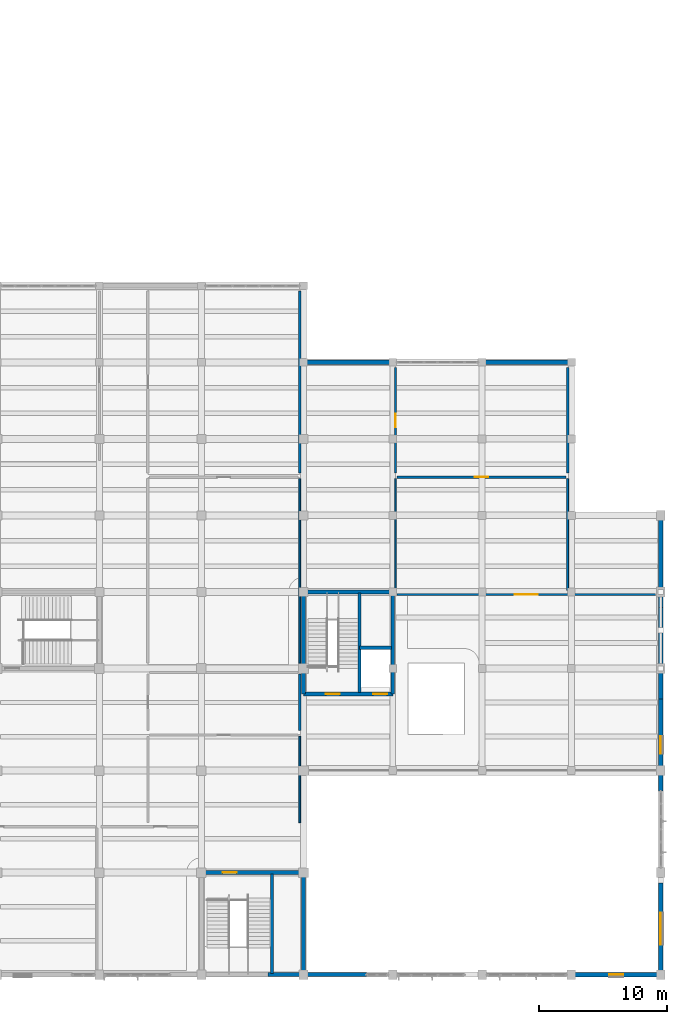
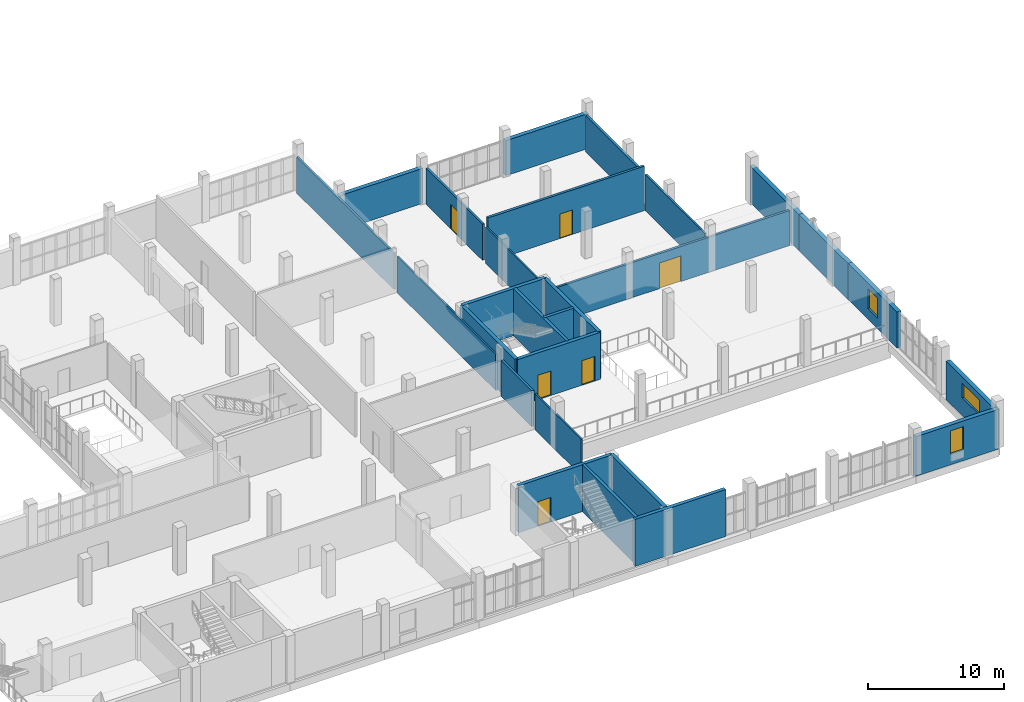
# One storey, part 68 of 85: 27 walls, 6 doors, 3 windows, 9 openings.
"""IFC4 building model written with IfcOpenShell, lengths in metres."""

import ifcopenshell
import ifcopenshell.guid

model = None  # the IFC model being written
_history = None  # IfcOwnerHistory: only IFC2X3 demands one
_inside = {}  # id of a spatial element -> (the spatial element, [elements in it])
_under = {}  # id of a project, library or spatial element -> (it, [spatial elements below it])
_declared = {}  # id of a project -> (the project, [libraries it declares])
_typed = {}  # id of a type object -> (the type object, [elements of that type])
_made_of = {}  # id of a material, layer set ... -> (it, [elements and type objects made of it])


def new_model(schema):
    """Start an empty IFC model of exactly this schema.

    Asked for "IFC4X3", IfcOpenShell would pick the latest addendum, in which some entities
    have other attributes; the version numbers below select the first issue.
    IFC2X3 requires an IfcOwnerHistory on every rooted entity: one is made here for all.
    """
    global model, _history
    if schema == "IFC4X3":
        model = ifcopenshell.file(schema_version=(4, 3, 0, 0))
    else:
        model = ifcopenshell.file(schema=schema)
    _inside.clear()
    _under.clear()
    _declared.clear()
    _typed.clear()
    _made_of.clear()
    _history = None
    if model.schema == "IFC2X3":
        org = make("IfcOrganization", Name="unknown")
        user = make(
            "IfcPersonAndOrganization",
            ThePerson=make("IfcPerson", FamilyName="unknown"),
            TheOrganization=org,
        )
        app = make(
            "IfcApplication",
            ApplicationDeveloper=org,
            Version="unknown",
            ApplicationFullName="unknown",
            ApplicationIdentifier="unknown",
        )
        _history = make(
            "IfcOwnerHistory",
            OwningUser=user,
            OwningApplication=app,
            ChangeAction="ADDED",
            CreationDate=0,
        )
    return model


def make(cls, **values):
    """One entity of the class cls with the attributes given. An attribute that is None is left unset."""
    return model.create_entity(
        cls, **{name: value for name, value in values.items() if value is not None}
    )


def rooted(cls, **values):
    """An entity with a GlobalId (a new one), such as an element, a storey or a relation."""
    return make(cls, GlobalId=ifcopenshell.guid.new(), OwnerHistory=_history, **values)


def si_unit(unit_type, name, prefix=None):
    """IfcSIUnit, for example si_unit("LENGTHUNIT", "METRE", prefix="MILLI")."""
    return make("IfcSIUnit", UnitType=unit_type, Prefix=prefix, Name=name)


def assignment(units):
    """IfcUnitAssignment: the units of a project."""
    return None if units is None else make("IfcUnitAssignment", Units=units)


def point(xyz):
    """IfcCartesianPoint."""
    return None if xyz is None else make("IfcCartesianPoint", Coordinates=xyz)


def direction(xyz):
    """IfcDirection."""
    return None if xyz is None else make("IfcDirection", DirectionRatios=xyz)


def frame(location, z_axis=None, x_axis=None):
    """IfcAxis2Placement3D, a coordinate frame: its origin and axes. An axis left out is left unset."""
    return make(
        "IfcAxis2Placement3D",
        Location=point(location),
        Axis=direction(z_axis),
        RefDirection=direction(x_axis),
    )


def frame_2d(location, x_axis=None):
    """IfcAxis2Placement2D, a coordinate frame in the plane: its origin and x axis."""
    return make(
        "IfcAxis2Placement2D", Location=point(location), RefDirection=direction(x_axis)
    )


def origin():
    """The frame at (0, 0, 0) with its axes left unset."""
    return frame((0.0, 0.0, 0.0))


def place(relative_to, where):
    """IfcLocalPlacement: puts the frame where relative to a parent placement (None: the world)."""
    return make(
        "IfcLocalPlacement", PlacementRelTo=relative_to, RelativePlacement=where
    )


def context(
    kind, dimensions, precision=None, world=None, true_north=None, identifier=None
):
    """IfcGeometricRepresentationContext, for example the 3D "Model" context."""
    return make(
        "IfcGeometricRepresentationContext",
        ContextIdentifier=identifier,
        ContextType=kind,
        CoordinateSpaceDimension=dimensions,
        Precision=precision,
        WorldCoordinateSystem=world,
        TrueNorth=true_north,
    )


def subcontext(parent, identifier, kind, view, scale=None):
    """IfcGeometricRepresentationSubContext, for example "Body" below "Model"."""
    return make(
        "IfcGeometricRepresentationSubContext",
        ContextIdentifier=identifier,
        ContextType=kind,
        ParentContext=parent,
        TargetScale=scale,
        TargetView=view,
    )


def project(units=None, contexts=None):
    """IfcProject with its units and contexts."""
    return rooted(
        "IfcProject",
        Name="project",
        RepresentationContexts=contexts,
        UnitsInContext=assignment(units),
    )


def spatial(cls, under=None, at=None, **own):
    """A site, building, storey or space (cls), placed at a placement, below another one or the project."""
    s = rooted(cls, ObjectPlacement=at, **own)
    if under is not None:
        _under.setdefault(under.id(), (under, []))[1].append(s)
    return s


def profile(cls, at=None, kind="AREA", **sizes):
    """A parametric profile (cls). Its sizes go by their IFC names, for example OverallWidth=200.0."""
    return make(cls, ProfileType=kind, Position=at, **sizes)


def rectangle(**sizes):
    """IfcRectangleProfileDef."""
    return profile("IfcRectangleProfileDef", **sizes)


def extrude(swept, where, along, depth):
    """IfcExtrudedAreaSolid: the profile swept, set in the frame where, extruded along a direction by depth."""
    return make(
        "IfcExtrudedAreaSolid",
        SweptArea=swept,
        Position=where,
        ExtrudedDirection=direction(along),
        Depth=depth,
    )


def shape(context_of_items, identifier, shape_type, items):
    """IfcShapeRepresentation: the items that make up one representation, for example the "Body"."""
    return make(
        "IfcShapeRepresentation",
        ContextOfItems=context_of_items,
        RepresentationIdentifier=identifier,
        RepresentationType=shape_type,
        Items=items,
    )


def material(Name=None, Category=None):
    """IfcMaterial."""
    return make("IfcMaterial", Name=Name, Category=Category)


def layer(
    of_material, thickness, ventilated=None, Name=None, Category=None, Priority=None
):
    """IfcMaterialLayer: one layer of a wall or slab, of a material (None: an air gap)."""
    return make(
        "IfcMaterialLayer",
        Material=of_material,
        LayerThickness=thickness,
        IsVentilated=ventilated,
        Name=Name,
        Category=Category,
        Priority=Priority,
    )


def layer_set(layers, Name=None):
    """IfcMaterialLayerSet."""
    return make("IfcMaterialLayerSet", MaterialLayers=layers, LayerSetName=Name)


def made_of(thing, what):
    """Note that an element or type object is made of a material, layer set ...; save() writes the relation."""
    if what is not None:
        _made_of.setdefault(what.id(), (what, []))[1].append(thing)
    return thing


def type_object(cls, material=None, **own):
    """A type object (cls), such as IfcWallType, which elements share."""
    return made_of(rooted(cls, **own), material)


def element(
    cls,
    number,
    at=None,
    inside=None,
    cuts=None,
    type_object=None,
    material=None,
    context=None,
    identifier="Body",
    shape_type=None,
    held_by="IfcProductDefinitionShape",
    body=None,
    shapes=None,
    **own,
):
    """One element of the class cls, such as IfcWall. Its Tag is "e" and its number.

    at: its placement. inside: the storey or other place that contains it. cuts: it is an
    opening in that element (IfcRelVoidsElement). A single representation is given by context,
    identifier, shape_type and body (its items); several are given by shapes. held_by: the class
    of the entity that holds the representations. save() writes the other relations.
    """
    e = rooted(cls, Tag="e%d" % number, ObjectPlacement=at, **own)
    if body is not None:
        shapes = [shape(context, identifier, shape_type, body)]
    if shapes is not None:
        e.Representation = make(held_by, Representations=shapes)
    if inside is not None:
        _inside.setdefault(inside.id(), (inside, []))[1].append(e)
    if cuts is not None:
        rooted(
            "IfcRelVoidsElement", RelatingBuildingElement=cuts, RelatedOpeningElement=e
        )
    if type_object is not None:
        _typed.setdefault(type_object.id(), (type_object, []))[1].append(e)
    return made_of(e, material)


def fill(opening, filler):
    """IfcRelFillsElement: the door or window that sits in an opening."""
    return rooted(
        "IfcRelFillsElement",
        RelatingOpeningElement=opening,
        RelatedBuildingElement=filler,
    )


def aggregate(whole, parts):
    """IfcRelAggregates: a whole, such as a stair, and the parts it consists of."""
    return rooted("IfcRelAggregates", RelatingObject=whole, RelatedObjects=parts)


def save(model, path):
    """Write the relations noted so far, then the file.

    IfcRelAggregates (storeys below a building ...), IfcRelContainedInSpatialStructure (elements
    in a storey), IfcRelDefinesByType, IfcRelAssociatesMaterial and IfcRelDeclares: one each for
    every whole, place, type object, material and project.
    """
    for whole, parts in _under.values():
        aggregate(whole, parts)
    for where, things in _inside.values():
        rooted(
            "IfcRelContainedInSpatialStructure",
            RelatedElements=things,
            RelatingStructure=where,
        )
    for kind, things in _typed.values():
        rooted("IfcRelDefinesByType", RelatedObjects=things, RelatingType=kind)
    for what, things in _made_of.values():
        rooted("IfcRelAssociatesMaterial", RelatedObjects=things, RelatingMaterial=what)
    for by, libraries in _declared.values():
        rooted("IfcRelDeclares", RelatingContext=by, RelatedDefinitions=libraries)
    model.write(path)


model = new_model("IFC4")

# Units and contexts
model_context = context("Model", 3, precision=1e-05, world=origin(), true_north=direction((0.0, 1.0)))
body_context = subcontext(model_context, "Body", "Model", "MODEL_VIEW")
ifc_project = project(units=[si_unit("LENGTHUNIT", "METRE"), si_unit("AREAUNIT", "SQUARE_METRE"), si_unit("VOLUMEUNIT", "CUBIC_METRE"), si_unit("PLANEANGLEUNIT", "RADIAN"), si_unit("MASSUNIT", "GRAM", prefix="KILO")], contexts=[model_context])

# Site, building, storey
site_placement = place(None, origin())
site = spatial("IfcSite", under=ifc_project, at=site_placement, CompositionType="ELEMENT")
building_placement = place(site_placement, origin())
building = spatial("IfcBuilding", under=site, at=building_placement, Name="Solvane Community Centre", CompositionType="ELEMENT")
storey_placement = place(building_placement, frame((0.0, 0.0, 5.39990234375)))
storey = spatial("IfcBuildingStorey", under=building, at=storey_placement, Name="L01", CompositionType="ELEMENT", Elevation=5.39990234375)

# Walls
ifc_material_1 = material(Name="Gypsum board partition")
ifc_layer_1 = layer(ifc_material_1, 0.1298828125)
ifc_layer_set_1 = layer_set([ifc_layer_1], Name="Gypsum board partition")
wall_type_1 = type_object("IfcWallType", Name="Acoustic Partition 130mm [145x32dm]", PredefinedType="PARTITIONING", material=ifc_layer_set_1)
wall_1_placement = place(storey_placement, frame((139.699951171875, 30.419921875, 0.0), z_axis=(0.0, 0.0, 1.0), x_axis=(0.0, 1.0, 0.0)))
element("IfcWall", 1, at=wall_1_placement, inside=storey, type_object=wall_type_1, Name="Interior Wall WL-INT-L01-0286", PredefinedType="PARTITIONING", context=body_context, shape_type="SweptSolid", body=[
    extrude(rectangle(XDim=14.4599609375, YDim=0.1298828125, at=frame_2d((7.22998046875, 0.0))), origin(), (0.0, 0.0, 1.0), 3.2451171875),
])
ifc_layer_2 = layer(ifc_material_1, 0.1298828125)
ifc_layer_set_2 = layer_set([ifc_layer_2], Name="Gypsum board partition")
wall_type_2 = type_object("IfcWallType", Name="Acoustic Partition 130mm [68x32dm]", PredefinedType="PARTITIONING", material=ifc_layer_set_2)
wall_2_placement = place(storey_placement, frame((139.699951171875, 17.919921875, 0.0), z_axis=(0.0, 0.0, 1.0), x_axis=(0.0, 1.0, 0.0)))
element("IfcWall", 2, at=wall_2_placement, inside=storey, type_object=wall_type_2, Name="Interior Wall WL-INT-L01-0276", PredefinedType="PARTITIONING", context=body_context, shape_type="SweptSolid", body=[
    extrude(rectangle(XDim=6.760009765625, YDim=0.1298828125, at=frame_2d((3.3798828125, 0.0))), origin(), (0.0, 0.0, 1.0), 3.22509765625),
])
ifc_layer_3 = layer(ifc_material_1, 0.1298828125)
ifc_layer_set_3 = layer_set([ifc_layer_3], Name="Gypsum board partition")
wall_type_3 = type_object("IfcWallType", Name="Acoustic Partition 130mm [88x32dm]", PredefinedType="PARTITIONING", material=ifc_layer_set_3)
wall_3_placement = place(storey_placement, frame((147.199951171875, 44.8798828125, 0.0), z_axis=(0.0, 0.0, 1.0), x_axis=(0.0, -1.0, 0.0)))
element("IfcWall", 3, at=wall_3_placement, inside=storey, type_object=wall_type_3, Name="Interior Wall WL-INT-L01-0291", PredefinedType="PARTITIONING", context=body_context, shape_type="SweptSolid", body=[
    extrude(rectangle(XDim=8.759765625, YDim=0.1298828125, at=frame_2d((4.3798828125, 0.0))), origin(), (0.0, 0.0, 1.0), 3.2451171875),
])
ifc_layer_4 = layer(ifc_material_1, 0.14990234375)
ifc_layer_set_4 = layer_set([ifc_layer_4], Name="Gypsum board partition")
wall_type_4 = type_object("IfcWallType", Name="Acoustic Partition 150mm [88x32dm]", PredefinedType="PARTITIONING", material=ifc_layer_set_4)
wall_4_placement = place(storey_placement, frame((160.699951171875, 36.1201171875, 0.0), z_axis=(0.0, 0.0, 1.0), x_axis=(0.0, 1.0, 0.0)))
element("IfcWall", 4, at=wall_4_placement, inside=storey, type_object=wall_type_4, Name="Interior Wall WL-INT-L01-0292", PredefinedType="PARTITIONING", context=body_context, shape_type="SweptSolid", body=[
    extrude(rectangle(XDim=8.759765625, YDim=0.14990234375, at=frame_2d((4.3798828125, 0.0))), origin(), (0.0, 0.0, 1.0), 3.2451171875),
])
ifc_layer_5 = layer(ifc_material_1, 0.169921875)
ifc_layer_set_5 = layer_set([ifc_layer_5], Name="Gypsum board partition")
wall_type_5 = type_object("IfcWallType", Name="Acoustic Partition 170mm [143x32dm]", PredefinedType="PARTITIONING", material=ifc_layer_set_5)
wall_5_placement = place(storey_placement, frame((139.699951171875, 45.320068359375, 0.0), z_axis=(0.0, 0.0, 1.0), x_axis=(0.0, 1.0, 0.0)))
element("IfcWall", 5, at=wall_5_placement, inside=storey, type_object=wall_type_5, Name="Interior Wall WL-INT-L01-0288", PredefinedType="PARTITIONING", context=body_context, shape_type="SweptSolid", body=[
    extrude(rectangle(XDim=14.260009765625, YDim=0.169921875, at=frame_2d((7.1298828125, 0.0))), origin(), (0.0, 0.0, 1.0), 3.2451171875),
])

# Wall, opening, door
ifc_layer_6 = layer(ifc_material_1, 0.169921875)
ifc_layer_set_6 = layer_set([ifc_layer_6], Name="Gypsum board partition")
wall_type_6 = type_object("IfcWallType", Name="Acoustic Partition 170mm [83x32dm]", PredefinedType="PARTITIONING", material=ifc_layer_set_6)
wall_6_placement = place(storey_placement, frame((147.199951171875, 53.580078125, 0.0), z_axis=(0.0, 0.0, 1.0), x_axis=(0.0, -1.0, 0.0)))
wall_6 = element("IfcWall", 6, at=wall_6_placement, inside=storey, type_object=wall_type_6, Name="Interior Wall WL-INT-L01-0293", PredefinedType="PARTITIONING", context=body_context, shape_type="SweptSolid", body=[
    extrude(rectangle(XDim=8.260009765625, YDim=0.169921875, at=frame_2d((4.1298828125, 0.0))), origin(), (0.0, 0.0, 1.0), 3.2451171875),
])
opening_1_placement = place(wall_6_placement, frame((3.60498046875, 0.0, 0.0)))
opening_1 = element("IfcOpeningElement", 7, at=opening_1_placement, cuts=wall_6, Name="Opening FD01", PredefinedType="OPENING", context=body_context, shape_type="SweptSolid", body=[
    extrude(rectangle(XDim=1.050048828125, YDim=2.199951171875, at=frame_2d((0.52490234375, 1.10009765625))), frame((0.0, 0.094970703125, 0.0), z_axis=(0.0, -1.0, 0.0), x_axis=(1.0, 0.0, 0.0)), (0.0, 0.0, 1.0), 0.18994140625),
])
ifc_material_2 = material(Name="Anodised bronze aluminium AW-6063 T6", Category="aluminium")
door_type_1 = type_object("IfcDoorType", Name="Compartment Fire Door 1050x2200", OperationType="NOTDEFINED", PredefinedType="DOOR", material=ifc_material_2)
door_1_placement = place(opening_1_placement, origin())
door_1 = element("IfcDoor", 8, at=door_1_placement, inside=storey, type_object=door_type_1, Name="L01-D109", OperationType="SINGLE_SWING_LEFT", OverallHeight=2.199951171875, OverallWidth=1.050048828125, PredefinedType="DOOR", context=body_context, shape_type="SweptSolid", body=[
    extrude(rectangle(XDim=1.050048828125, YDim=2.199951171875, at=frame_2d((0.52490234375, 1.10009765625))), frame((0.0, 0.02490234375, 0.0), z_axis=(0.0, -1.0, 0.0), x_axis=(1.0, 0.0, 0.0)), (0.0, 0.0, 1.0), 0.050048828125),
])
fill(opening_1, door_1)

ifc_layer_7 = layer(ifc_material_1, 0.18994140625)
ifc_layer_set_7 = layer_set([ifc_layer_7], Name="Gypsum board partition")
wall_type_7 = type_object("IfcWallType", Name="Acoustic Partition 190mm [203x31dm]", PredefinedType="PARTITIONING", material=ifc_layer_set_7)
wall_7_placement = place(storey_placement, frame((167.580078125, 35.800048828125, 0.0), z_axis=(0.0, 0.0, 1.0), x_axis=(-1.0, 0.0, 0.0)))
wall_7 = element("IfcWall", 9, at=wall_7_placement, inside=storey, type_object=wall_type_7, Name="Interior Wall WL-INT-L01-0289", PredefinedType="PARTITIONING", context=body_context, shape_type="SweptSolid", body=[
    extrude(rectangle(XDim=20.260009765625, YDim=0.18994140625, at=frame_2d((10.1298828125, 0.0))), origin(), (0.0, 0.0, 1.0), 3.135009765625),
])
opening_2_placement = place(wall_7_placement, frame((9.22998046875, 0.0, 0.0)))
opening_2 = element("IfcOpeningElement", 10, at=opening_2_placement, cuts=wall_7, Name="Opening ID02", PredefinedType="OPENING", context=body_context, shape_type="SweptSolid", body=[
    extrude(rectangle(XDim=1.800048828125, YDim=2.300048828125, at=frame_2d((0.89990234375, 1.14990234375))), frame((0.0, 0.10498046875, 0.0), z_axis=(0.0, -1.0, 0.0), x_axis=(1.0, 0.0, 0.0)), (0.0, 0.0, 1.0), 0.2099609375),
])
door_type_2 = type_object("IfcDoorType", Name="Hall Acoustic Double Door 1800x2300", OperationType="NOTDEFINED", PredefinedType="DOOR", material=ifc_material_2)
door_2_placement = place(opening_2_placement, origin())
door_2 = element("IfcDoor", 11, at=door_2_placement, inside=storey, type_object=door_type_2, Name="L01-D107", OperationType="DOUBLE_DOOR_SINGLE_SWING", OverallHeight=2.300048828125, OverallWidth=1.800048828125, PredefinedType="DOOR", context=body_context, shape_type="SweptSolid", body=[
    extrude(rectangle(XDim=1.800048828125, YDim=2.300048828125, at=frame_2d((0.89990234375, 1.14990234375))), frame((0.0, 0.02490234375, 0.0), z_axis=(0.0, -1.0, 0.0), x_axis=(1.0, 0.0, 0.0)), (0.0, 0.0, 1.0), 0.050048828125),
])
fill(opening_2, door_2)

# Walls
ifc_layer_8 = layer(ifc_material_1, 0.18994140625)
ifc_layer_set_8 = layer_set([ifc_layer_8], Name="Gypsum board partition")
wall_type_8 = type_object("IfcWallType", Name="Acoustic Partition 190mm [45x32dm]", PredefinedType="PARTITIONING", material=ifc_layer_set_8)
wall_8_placement = place(storey_placement, frame((139.699951171875, 25.1201171875, 0.0), z_axis=(0.0, 0.0, 1.0), x_axis=(0.0, 1.0, 0.0)))
element("IfcWall", 12, at=wall_8_placement, inside=storey, type_object=wall_type_8, Name="Interior Wall WL-INT-L01-0279", PredefinedType="PARTITIONING", context=body_context, shape_type="SweptSolid", body=[
    extrude(rectangle(XDim=4.4599609375, YDim=0.18994140625, at=frame_2d((2.22998046875, 0.0))), origin(), (0.0, 0.0, 1.0), 3.22509765625),
])
ifc_layer_9 = layer(ifc_material_1, 0.18994140625)
ifc_layer_set_9 = layer_set([ifc_layer_9], Name="Gypsum board partition")
wall_type_9 = type_object("IfcWallType", Name="Acoustic Partition 190mm [83x32dm]", PredefinedType="PARTITIONING", material=ifc_layer_set_9)
wall_9_placement = place(storey_placement, frame((160.699951171875, 45.320068359375, 0.0), z_axis=(0.0, 0.0, 1.0), x_axis=(0.0, 1.0, 0.0)))
element("IfcWall", 13, at=wall_9_placement, inside=storey, type_object=wall_type_9, Name="Interior Wall WL-INT-L01-0294", PredefinedType="PARTITIONING", context=body_context, shape_type="SweptSolid", body=[
    extrude(rectangle(XDim=8.260009765625, YDim=0.18994140625, at=frame_2d((4.1298828125, 0.0))), origin(), (0.0, 0.0, 1.0), 3.2451171875),
])

# Wall, opening, door
ifc_layer_10 = layer(ifc_material_1, 0.2099609375)
ifc_layer_set_10 = layer_set([ifc_layer_10], Name="Gypsum board partition")
wall_type_10 = type_object("IfcWallType", Name="Acoustic Partition 210mm [133x40dm]", PredefinedType="PARTITIONING", material=ifc_layer_set_10)
wall_10_placement = place(storey_placement, frame((160.580078125, 45.0, 0.0), z_axis=(0.0, 0.0, 1.0), x_axis=(-1.0, 0.0, 0.0)))
wall_10 = element("IfcWall", 14, at=wall_10_placement, inside=storey, type_object=wall_type_10, Name="Interior Wall WL-INT-L01-0290", PredefinedType="PARTITIONING", context=body_context, shape_type="SweptSolid", body=[
    extrude(rectangle(XDim=13.260009765625, YDim=0.2099609375, at=frame_2d((6.6298828125, 0.0))), origin(), (0.0, 0.0, 1.0), 3.97998046875),
])
opening_3_placement = place(wall_10_placement, frame((6.10498046875, 0.0, 0.0)))
opening_3 = element("IfcOpeningElement", 15, at=opening_3_placement, cuts=wall_10, Name="Opening FD01", PredefinedType="OPENING", context=body_context, shape_type="SweptSolid", body=[
    extrude(rectangle(XDim=1.050048828125, YDim=2.199951171875, at=frame_2d((0.52490234375, 1.10009765625))), frame((0.0, 0.114990234375, 0.0), z_axis=(0.0, -1.0, 0.0), x_axis=(1.0, 0.0, 0.0)), (0.0, 0.0, 1.0), 0.22998046875),
])
door_3_placement = place(opening_3_placement, origin())
door_3 = element("IfcDoor", 16, at=door_3_placement, inside=storey, type_object=door_type_1, Name="L01-D108", OperationType="SINGLE_SWING_RIGHT", OverallHeight=2.199951171875, OverallWidth=1.050048828125, PredefinedType="DOOR", context=body_context, shape_type="SweptSolid", body=[
    extrude(rectangle(XDim=1.050048828125, YDim=2.199951171875, at=frame_2d((0.52490234375, 1.10009765625))), frame((0.0, 0.02490234375, 0.0), z_axis=(0.0, -1.0, 0.0), x_axis=(1.0, 0.0, 0.0)), (0.0, 0.0, 1.0), 0.050048828125),
])
fill(opening_3, door_3)

# Walls
ifc_material_3 = material(Name="Precast concrete C35/45", Category="concrete")
ifc_layer_11 = layer(ifc_material_3, 0.35009765625)
ifc_layer_set_11 = layer_set([ifc_layer_11], Name="Precast concrete C35/45")
wall_type_11 = type_object("IfcWallType", Name="Art Deco Limestone Cavity Wall 350mm [70x31dm]", PredefinedType="SOLIDWALL", material=ifc_layer_set_11)
for number, where, z_axis, x_axis, name in (
    (17, (140.0, 54.0, 0.0), (0.0, 0.0, 1.0), (1.0, 0.0, 0.0), "Exterior Wall WL-EXT-L01-0096"),
    (18, (154.0, 54.0, 0.0), (0.0, 0.0, 1.0), (1.0, 0.0, 0.0), "Exterior Wall WL-EXT-L01-0097"),
):
    element("IfcWall", number, at=place(storey_placement, frame(where, z_axis=z_axis, x_axis=x_axis)), inside=storey, type_object=wall_type_11, Name=name, PredefinedType="SOLIDWALL", context=body_context, shape_type="SweptSolid", body=[
        extrude(rectangle(XDim=7.0, YDim=0.35009765625, at=frame_2d((3.5, 0.0))), origin(), (0.0, 0.0, 1.0), 3.135009765625),
    ])

# Wall, opening, window
ifc_layer_12 = layer(ifc_material_3, 0.35009765625)
ifc_layer_set_12 = layer_set([ifc_layer_12], Name="Precast concrete C35/45")
wall_type_12 = type_object("IfcWallType", Name="Art Deco Limestone Cavity Wall 350mm [70x36dm]", PredefinedType="SOLIDWALL", material=ifc_layer_set_12)
wall_11_placement = place(storey_placement, frame((168.0, 6.0, -0.239990234375), z_axis=(0.0, 0.0, 1.0), x_axis=(-1.0, 0.0, 0.0)))
wall_11 = element("IfcWall", 19, at=wall_11_placement, inside=storey, type_object=wall_type_12, Name="Exterior Wall WL-EXT-L01-0061", PredefinedType="SOLIDWALL", context=body_context, shape_type="SweptSolid", body=[
    extrude(rectangle(XDim=7.0, YDim=0.35009765625, at=frame_2d((3.5, 0.0))), origin(), (0.0, 0.0, 1.0), 3.55517578125),
])
opening_4_placement = place(wall_11_placement, frame((2.949951171875, 0.0, 0.949951171875)))
opening_4 = element("IfcOpeningElement", 20, at=opening_4_placement, cuts=wall_11, Name="Opening WN14", PredefinedType="OPENING", context=body_context, shape_type="SweptSolid", body=[
    extrude(rectangle(XDim=1.10009765625, YDim=2.10009765625, at=frame_2d((0.550048828125, 1.050048828125))), frame((0.0, 0.18505859375, 0.0), z_axis=(0.0, -1.0, 0.0), x_axis=(1.0, 0.0, 0.0)), (0.0, 0.0, 1.0), 0.3701171875),
])
ifc_material_4 = material(Name="Tempered low-E double glazing", Category="glass")
window_type_1 = type_object("IfcWindowType", Name="Library Stack Slot Window 1100x2100", PartitioningType="SINGLE_PANEL", PredefinedType="WINDOW", material=ifc_material_4)
window_1_placement = place(opening_4_placement, origin())
window_1 = element("IfcWindow", 21, at=window_1_placement, inside=storey, type_object=window_type_1, Name="L01-W022", OverallHeight=2.10009765625, OverallWidth=1.10009765625, PartitioningType="SINGLE_PANEL", PredefinedType="WINDOW", context=body_context, shape_type="SweptSolid", body=[
    extrude(rectangle(XDim=1.10009765625, YDim=2.10009765625, at=frame_2d((0.550048828125, 1.050048828125))), frame((0.0, 0.030029296875, 0.0), z_axis=(0.0, -1.0, 0.0), x_axis=(1.0, 0.0, 0.0)), (0.0, 0.0, 1.0), 0.06005859375),
])
fill(opening_4, window_1)

# Walls
ifc_layer_13 = layer(ifc_material_3, 0.35009765625)
ifc_layer_set_13 = layer_set([ifc_layer_13], Name="Precast concrete C35/45")
wall_type_13 = type_object("IfcWallType", Name="Art Deco Limestone Cavity Wall 350mm [72x32dm]", PredefinedType="SOLIDWALL", material=ifc_layer_set_13)
wall_12_placement = place(storey_placement, frame((168.0, 42.0, 0.0), z_axis=(0.0, 0.0, 1.0), x_axis=(0.0, -1.0, 0.0)))
element("IfcWall", 22, at=wall_12_placement, inside=storey, type_object=wall_type_13, Name="Exterior Wall WL-EXT-L01-0098", PredefinedType="SOLIDWALL", context=body_context, shape_type="SweptSolid", body=[
    extrude(rectangle(XDim=7.199951171875, YDim=0.35009765625, at=frame_2d((3.60009765625, 0.0))), origin(), (0.0, 0.0, 1.0), 3.2451171875),
])
wall_13_placement = place(storey_placement, frame((168.0, 34.800048828125, 0.0), z_axis=(0.0, 0.0, 1.0), x_axis=(0.0, -1.0, 0.0)))
element("IfcWall", 23, at=wall_13_placement, inside=storey, type_object=wall_type_13, Name="Exterior Wall WL-EXT-L01-0099", PredefinedType="SOLIDWALL", context=body_context, shape_type="SweptSolid", body=[
    extrude(rectangle(XDim=7.199951171875, YDim=0.35009765625, at=frame_2d((3.60009765625, 0.0))), origin(), (0.0, 0.0, 1.0), 3.22509765625),
])

# Wall, opening, window
wall_14_placement = place(storey_placement, frame((168.0, 27.60009765625, 0.0), z_axis=(0.0, 0.0, 1.0), x_axis=(0.0, -1.0, 0.0)))
wall_14 = element("IfcWall", 24, at=wall_14_placement, inside=storey, type_object=wall_type_13, Name="Exterior Wall WL-EXT-L01-0100", PredefinedType="SOLIDWALL", context=body_context, shape_type="SweptSolid", body=[
    extrude(rectangle(XDim=7.2001953125, YDim=0.35009765625, at=frame_2d((3.60009765625, 0.0))), origin(), (0.0, 0.0, 1.0), 3.22509765625),
])
opening_5_placement = place(wall_14_placement, frame((2.89990234375, 0.0, 0.949951171875)))
opening_5 = element("IfcOpeningElement", 25, at=opening_5_placement, cuts=wall_14, Name="Opening WN05", PredefinedType="OPENING", context=body_context, shape_type="SweptSolid", body=[
    extrude(rectangle(XDim=1.39990234375, YDim=1.800048828125, at=frame_2d((0.699951171875, 0.89990234375))), frame((0.0, 0.18505859375, 0.0), z_axis=(0.0, -1.0, 0.0), x_axis=(1.0, 0.0, 0.0)), (0.0, 0.0, 1.0), 0.3701171875),
])
window_type_2 = type_object("IfcWindowType", Name="Studio Deep-Reveal Window 1400x1800", PartitioningType="SINGLE_PANEL", PredefinedType="WINDOW", material=ifc_material_4)
window_2_placement = place(opening_5_placement, origin())
window_2 = element("IfcWindow", 26, at=window_2_placement, inside=storey, type_object=window_type_2, Name="L01-W027", OverallHeight=1.800048828125, OverallWidth=1.39990234375, PartitioningType="SINGLE_PANEL", PredefinedType="WINDOW", context=body_context, shape_type="SweptSolid", body=[
    extrude(rectangle(XDim=1.39990234375, YDim=1.800048828125, at=frame_2d((0.699951171875, 0.89990234375))), frame((0.0, 0.030029296875, 0.0), z_axis=(0.0, -1.0, 0.0), x_axis=(1.0, 0.0, 0.0)), (0.0, 0.0, 1.0), 0.06005859375),
])
fill(opening_5, window_2)

ifc_layer_14 = layer(ifc_material_3, 0.35009765625)
ifc_layer_set_14 = layer_set([ifc_layer_14], Name="Precast concrete C35/45")
wall_type_14 = type_object("IfcWallType", Name="Art Deco Limestone Cavity Wall 350mm [72x35dm]", PredefinedType="SOLIDWALL", material=ifc_layer_set_14)
wall_15_placement = place(storey_placement, frame((168.0, 13.199951171875, -0.239990234375), z_axis=(0.0, 0.0, 1.0), x_axis=(0.0, -1.0, 0.0)))
wall_15 = element("IfcWall", 27, at=wall_15_placement, inside=storey, type_object=wall_type_14, Name="Exterior Wall WL-EXT-L01-0101", PredefinedType="SOLIDWALL", context=body_context, shape_type="SweptSolid", body=[
    extrude(rectangle(XDim=7.199951171875, YDim=0.35009765625, at=frame_2d((3.60009765625, 0.0))), origin(), (0.0, 0.0, 1.0), 3.465087890625),
])
opening_6_placement = place(wall_15_placement, frame((2.35009765625, 0.0, 1.60009765625)))
opening_6 = element("IfcOpeningElement", 28, at=opening_6_placement, cuts=wall_15, Name="Opening WN16", PredefinedType="OPENING", context=body_context, shape_type="SweptSolid", body=[
    extrude(rectangle(XDim=2.5, YDim=1.300048828125, at=frame_2d((1.25, 0.64990234375))), frame((0.0, 0.18505859375, 0.0), z_axis=(0.0, -1.0, 0.0), x_axis=(1.0, 0.0, 0.0)), (0.0, 0.0, 1.0), 0.3701171875),
])
window_type_3 = type_object("IfcWindowType", Name="Cloister Clerestory Window 2500x1300", PartitioningType="DOUBLE_PANEL_VERTICAL", PredefinedType="WINDOW", material=ifc_material_4)
window_3_placement = place(opening_6_placement, origin())
window_3 = element("IfcWindow", 29, at=window_3_placement, inside=storey, type_object=window_type_3, Name="L01-W028", OverallHeight=1.300048828125, OverallWidth=2.5, PartitioningType="DOUBLE_PANEL_VERTICAL", PredefinedType="WINDOW", context=body_context, shape_type="SweptSolid", body=[
    extrude(rectangle(XDim=2.5, YDim=1.300048828125, at=frame_2d((1.25, 0.64990234375))), frame((0.0, 0.030029296875, 0.0), z_axis=(0.0, -1.0, 0.0), x_axis=(1.0, 0.0, 0.0)), (0.0, 0.0, 1.0), 0.06005859375),
])
fill(opening_6, window_3)

# Wall, openings, doors
ifc_material_5 = material(Name="Concrete C35/45", Category="concrete")
ifc_layer_15 = layer(ifc_material_5, 0.300048828125)
ifc_layer_set_15 = layer_set([ifc_layer_15], Name="Concrete C35/45")
wall_type_15 = type_object("IfcWallType", Name="RC Core Shear Wall 300mm [70x42dm]", PredefinedType="SHEAR", material=ifc_layer_set_15)
wall_16_placement = place(storey_placement, frame((147.0, 28.0, 0.0), z_axis=(0.0, 0.0, 1.0), x_axis=(-1.0, 0.0, 0.0)))
wall_16 = element("IfcWall", 30, at=wall_16_placement, inside=storey, type_object=wall_type_15, Name="Interior Wall WL-INT-L01-0111", PredefinedType="SHEAR", context=body_context, shape_type="SweptSolid", body=[
    extrude(rectangle(XDim=7.0, YDim=0.300048828125, at=frame_2d((3.5, 0.0))), origin(), (0.0, 0.0, 1.0), 4.2001953125),
])
opening_7_placement = place(wall_16_placement, frame((4.14990234375, 0.0, 0.0)))
opening_7 = element("IfcOpeningElement", 31, at=opening_7_placement, cuts=wall_16, Name="Opening SD02", PredefinedType="OPENING", context=body_context, shape_type="SweptSolid", body=[
    extrude(rectangle(XDim=1.10009765625, YDim=2.199951171875, at=frame_2d((0.550048828125, 1.10009765625))), frame((0.0, 0.159912109375, 0.0), z_axis=(0.0, -1.0, 0.0), x_axis=(1.0, 0.0, 0.0)), (0.0, 0.0, 1.0), 0.320068359375),
])
opening_8_placement = place(wall_16_placement, frame((0.449951171875, 0.0, 0.0)))
opening_8 = element("IfcOpeningElement", 32, at=opening_8_placement, cuts=wall_16, Name="Opening LD01", PredefinedType="OPENING", context=body_context, shape_type="SweptSolid", body=[
    extrude(rectangle(XDim=1.10009765625, YDim=2.199951171875, at=frame_2d((0.550048828125, 1.10009765625))), frame((0.0, 0.159912109375, 0.0), z_axis=(0.0, -1.0, 0.0), x_axis=(1.0, 0.0, 0.0)), (0.0, 0.0, 1.0), 0.320068359375),
])
door_type_3 = type_object("IfcDoorType", Name="Core Stair Fire Door 1100x2200", OperationType="NOTDEFINED", PredefinedType="DOOR", material=ifc_material_2)
door_4_placement = place(opening_7_placement, origin())
door_4 = element("IfcDoor", 33, at=door_4_placement, inside=storey, type_object=door_type_3, Name="L01-D041", OperationType="SINGLE_SWING_RIGHT", OverallHeight=2.199951171875, OverallWidth=1.10009765625, PredefinedType="DOOR", context=body_context, shape_type="SweptSolid", body=[
    extrude(rectangle(XDim=1.10009765625, YDim=2.199951171875, at=frame_2d((0.550048828125, 1.10009765625))), frame((0.0, 0.02490234375, 0.0), z_axis=(0.0, -1.0, 0.0), x_axis=(1.0, 0.0, 0.0)), (0.0, 0.0, 1.0), 0.050048828125),
])
fill(opening_7, door_4)
door_type_4 = type_object("IfcDoorType", Name="Lift Sliding Landing Door 1100x2200", OperationType="NOTDEFINED", PredefinedType="DOOR", material=ifc_material_2)
door_5_placement = place(opening_8_placement, origin())
door_5 = element("IfcDoor", 34, at=door_5_placement, inside=storey, type_object=door_type_4, Name="L01-D042", OperationType="SLIDING_TO_LEFT", OverallHeight=2.199951171875, OverallWidth=1.10009765625, PredefinedType="DOOR", context=body_context, shape_type="SweptSolid", body=[
    extrude(rectangle(XDim=1.10009765625, YDim=2.199951171875, at=frame_2d((0.550048828125, 1.10009765625))), frame((0.0, 0.02490234375, 0.0), z_axis=(0.0, -1.0, 0.0), x_axis=(1.0, 0.0, 0.0)), (0.0, 0.0, 1.0), 0.050048828125),
])
fill(opening_8, door_5)

# Wall
wall_17_placement = place(storey_placement, frame((140.0, 36.0, 0.0), z_axis=(0.0, 0.0, 1.0), x_axis=(1.0, 0.0, 0.0)))
element("IfcWall", 35, at=wall_17_placement, inside=storey, type_object=wall_type_15, Name="Interior Wall WL-INT-L01-0113", PredefinedType="SHEAR", context=body_context, shape_type="SweptSolid", body=[
    extrude(rectangle(XDim=7.0, YDim=0.300048828125, at=frame_2d((3.5, 0.0))), origin(), (0.0, 0.0, 1.0), 4.2001953125),
])

# Wall, opening, door
ifc_layer_16 = layer(ifc_material_5, 0.300048828125)
ifc_layer_set_16 = layer_set([ifc_layer_16], Name="Concrete C35/45")
wall_type_16 = type_object("IfcWallType", Name="RC Core Shear Wall 300mm [80x42dm]", PredefinedType="SHEAR", material=ifc_layer_set_16)
wall_18_placement = place(storey_placement, frame((132.0, 14.0, 0.0), z_axis=(0.0, 0.0, 1.0), x_axis=(1.0, 0.0, 0.0)))
wall_18 = element("IfcWall", 36, at=wall_18_placement, inside=storey, type_object=wall_type_16, Name="Interior Wall WL-INT-L01-0059", PredefinedType="SHEAR", context=body_context, shape_type="SweptSolid", body=[
    extrude(rectangle(XDim=8.0, YDim=0.300048828125, at=frame_2d((4.0, 0.0))), origin(), (0.0, 0.0, 1.0), 4.2001953125),
])
opening_9_placement = place(wall_18_placement, frame((1.64990234375, 0.0, 0.0)))
opening_9 = element("IfcOpeningElement", 37, at=opening_9_placement, cuts=wall_18, Name="Opening SD02", PredefinedType="OPENING", context=body_context, shape_type="SweptSolid", body=[
    extrude(rectangle(XDim=1.10009765625, YDim=2.199951171875, at=frame_2d((0.550048828125, 1.10009765625))), frame((0.0, 0.159912109375, 0.0), z_axis=(0.0, -1.0, 0.0), x_axis=(1.0, 0.0, 0.0)), (0.0, 0.0, 1.0), 0.320068359375),
])
door_6_placement = place(opening_9_placement, origin())
door_6 = element("IfcDoor", 38, at=door_6_placement, inside=storey, type_object=door_type_3, Name="L01-D024", OperationType="SINGLE_SWING_RIGHT", OverallHeight=2.199951171875, OverallWidth=1.10009765625, PredefinedType="DOOR", context=body_context, shape_type="SweptSolid", body=[
    extrude(rectangle(XDim=1.10009765625, YDim=2.199951171875, at=frame_2d((0.550048828125, 1.10009765625))), frame((0.0, 0.02490234375, 0.0), z_axis=(0.0, -1.0, 0.0), x_axis=(1.0, 0.0, 0.0)), (0.0, 0.0, 1.0), 0.050048828125),
])
fill(opening_9, door_6)

# Walls
for number, where, z_axis, x_axis, name in (
    (39, (140.0, 14.0, 0.0), (0.0, 0.0, 1.0), (0.0, -1.0, 0.0), "Interior Wall WL-INT-L01-0060"),
    (40, (140.0, 28.0, 0.0), (0.0, 0.0, 1.0), (0.0, 1.0, 0.0), "Interior Wall WL-INT-L01-0112"),
    (41, (147.0, 36.0, 0.0), (0.0, 0.0, 1.0), (0.0, -1.0, 0.0), "Interior Wall WL-INT-L01-0114"),
):
    element("IfcWall", number, at=place(storey_placement, frame(where, z_axis=z_axis, x_axis=x_axis)), inside=storey, type_object=wall_type_16, Name=name, PredefinedType="SHEAR", context=body_context, shape_type="SweptSolid", body=[
        extrude(rectangle(XDim=8.0, YDim=0.300048828125, at=frame_2d((4.0, 0.0))), origin(), (0.0, 0.0, 1.0), 4.2001953125),
    ])
ifc_layer_17 = layer(ifc_material_5, 0.300048828125)
ifc_layer_set_17 = layer_set([ifc_layer_17], Name="Concrete C35/45")
wall_type_17 = type_object("IfcWallType", Name="RC Exterior Core Strip Wall 300mm [77x33dm]", PredefinedType="SOLIDWALL", material=ifc_layer_set_17)
wall_19_placement = place(storey_placement, frame((144.923095703125, 6.0, 0.0), z_axis=(0.0, 0.0, 1.0), x_axis=(-1.0, 0.0, 0.0)))
element("IfcWall", 42, at=wall_19_placement, inside=storey, type_object=wall_type_17, Name="Exterior Wall WL-EXT-L01-0062", PredefinedType="SOLIDWALL", context=body_context, shape_type="SweptSolid", body=[
    extrude(rectangle(XDim=7.6923828125, YDim=0.300048828125, at=frame_2d((3.84619140625, 0.0))), origin(), (0.0, 0.0, 1.0), 4.2001953125),
])
ifc_layer_18 = layer(ifc_material_5, 0.25)
ifc_layer_set_18 = layer_set([ifc_layer_18], Name="Concrete C35/45")
wall_type_18 = type_object("IfcWallType", Name="RC Lift Shaft Wall 250mm [25x42dm]", PredefinedType="SHEAR", material=ifc_layer_set_18)
wall_20_placement = place(storey_placement, frame((144.39990234375, 31.6201171875, 0.0), z_axis=(0.0, 0.0, 1.0), x_axis=(1.0, 0.0, 0.0)))
element("IfcWall", 43, at=wall_20_placement, inside=storey, type_object=wall_type_18, Name="Interior Wall WL-INT-L01-0116", PredefinedType="SHEAR", context=body_context, shape_type="SweptSolid", body=[
    extrude(rectangle(XDim=2.5, YDim=0.25, at=frame_2d((1.25, 0.0))), origin(), (0.0, 0.0, 1.0), 4.2001953125),
])
ifc_layer_19 = layer(ifc_material_5, 0.25)
ifc_layer_set_19 = layer_set([ifc_layer_19], Name="Concrete C35/45")
wall_type_19 = type_object("IfcWallType", Name="RC Lift Shaft Wall 250mm [78x42dm]", PredefinedType="SHEAR", material=ifc_layer_set_19)
for number, where, z_axis, x_axis, name in (
    (44, (137.52001953125, 6.10009765625, 0.0), (0.0, 0.0, 1.0), (0.0, 1.0, 0.0), "Interior Wall WL-INT-L01-0061"),
    (45, (144.39990234375, 28.10009765625, 0.0), (0.0, 0.0, 1.0), (0.0, 1.0, 0.0), "Interior Wall WL-INT-L01-0115"),
):
    element("IfcWall", number, at=place(storey_placement, frame(where, z_axis=z_axis, x_axis=x_axis)), inside=storey, type_object=wall_type_19, Name=name, PredefinedType="SHEAR", context=body_context, shape_type="SweptSolid", body=[
        extrude(rectangle(XDim=7.7998046875, YDim=0.25, at=frame_2d((3.89990234375, 0.0))), origin(), (0.0, 0.0, 1.0), 4.2001953125),
    ])

save(model, "model.ifc")
